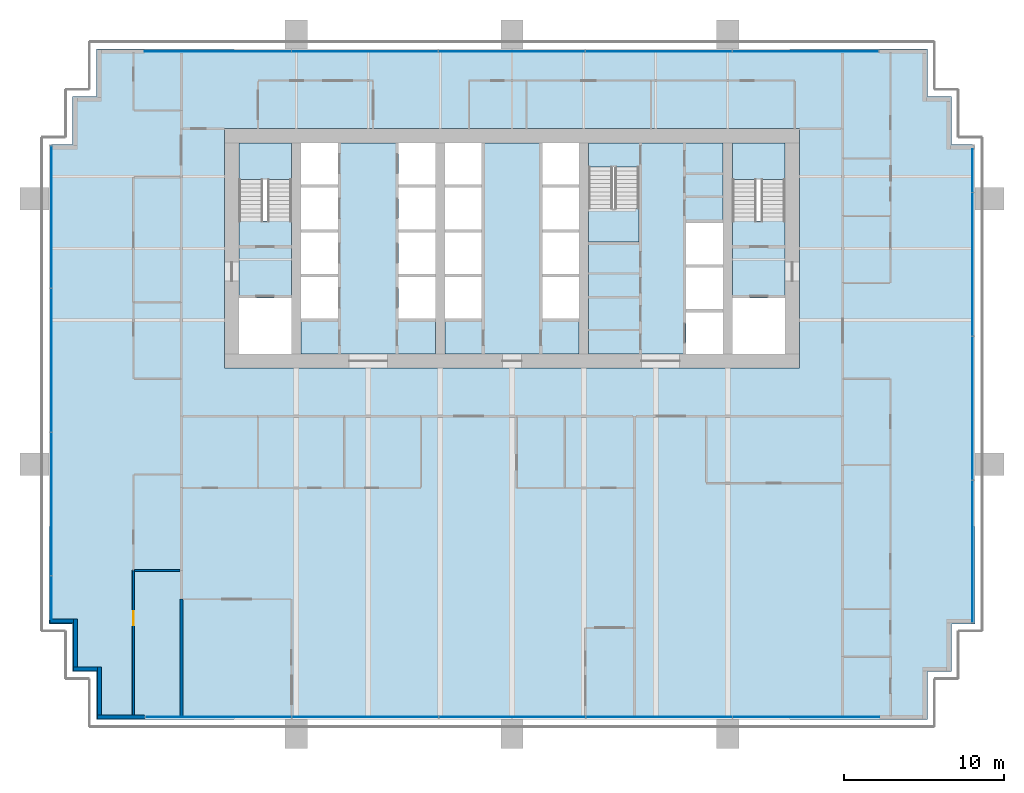
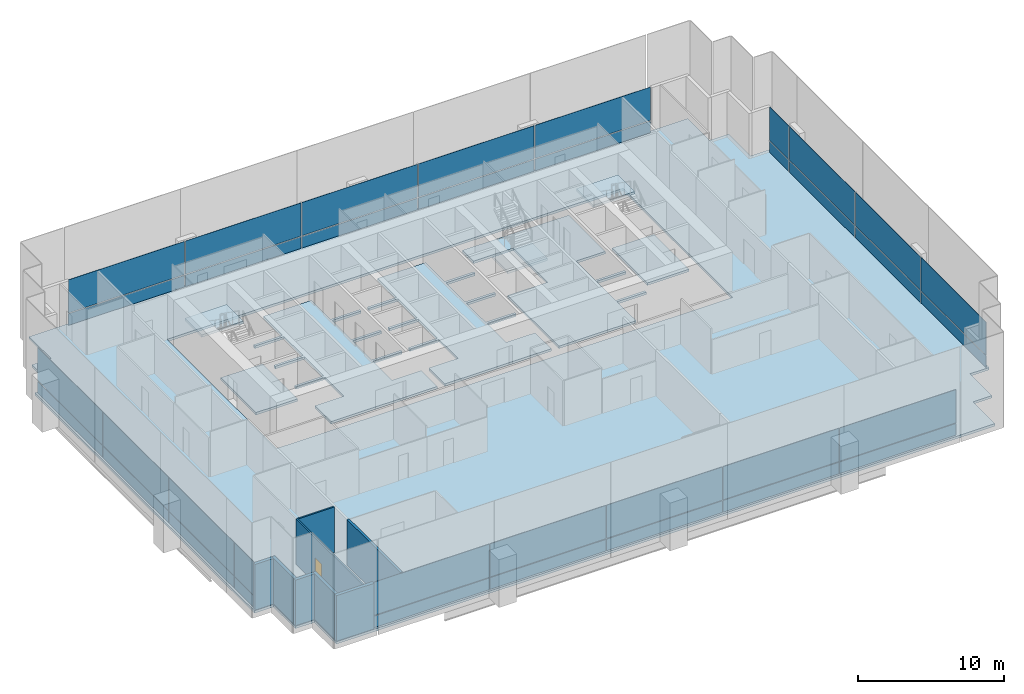
# One storey, part 9 of 17: 36 plates, 9 slabs, 8 walls, 1 door, 1 opening, 7 elements without a shape of their own.
"""IFC4 building model written with IfcOpenShell, lengths in metres."""

from ifc_helpers import new_model, si_unit, direction, frame, frame_2d, origin, origin_2d, place, context, subcontext, project, spatial, polyline, rectangle, outline, extrude, material, layer, layer_set, type_object, element, fill, aggregate, save


model = new_model("IFC4")

# Units and contexts
model_context = context("Model", 3, precision=1e-05, world=origin(), true_north=direction((0.0, 1.0)))
body_context = subcontext(model_context, "Body", "Model", "MODEL_VIEW")
ifc_project = project(units=[si_unit("LENGTHUNIT", "METRE"), si_unit("AREAUNIT", "SQUARE_METRE"), si_unit("VOLUMEUNIT", "CUBIC_METRE"), si_unit("PLANEANGLEUNIT", "RADIAN"), si_unit("MASSUNIT", "GRAM", prefix="KILO")], contexts=[model_context])

# Site, building, storey
site_placement = place(None, origin())
site = spatial("IfcSite", under=ifc_project, at=site_placement, CompositionType="ELEMENT")
building_placement = place(site_placement, origin())
building = spatial("IfcBuilding", under=site, at=building_placement, Name="Rattan Terrace Tower", CompositionType="ELEMENT")
storey_placement = place(building_placement, frame((0.0, 0.0, 126.10009765625)))
storey = spatial("IfcBuildingStorey", under=building, at=storey_placement, Name="L28", CompositionType="ELEMENT", Elevation=126.10009765625)

# Stair, slab
ifc_material_1 = material(Name="Concrete C40/50", Category="concrete")
stair_type = type_object("IfcStairType", Name="Core exit stair 1500", PredefinedType="HALF_TURN_STAIR", material=ifc_material_1)
stair_1_placement = place(storey_placement, origin())
stair_1 = element("IfcStair", 1, at=stair_1_placement, inside=storey, type_object=stair_type, Name="L28 exit stair 1", PredefinedType="HALF_TURN_STAIR")
ifc_material_2 = material(Name="Concrete C40/50", Category="concrete")
ifc_layer_1 = layer(ifc_material_2, 0.199951171875)
ifc_layer_set_1 = layer_set([ifc_layer_1], Name="Core exit stair landing")
slab_type_1 = type_object("IfcSlabType", Name="Core exit stair landing", PredefinedType="LANDING", material=ifc_layer_set_1)
slab_1_placement = place(storey_placement, frame((0.0, 0.0, 1.7998046875)))
slab_1 = element("IfcSlab", 2, at=slab_1_placement, type_object=slab_type_1, Name="S1 landing 1", PredefinedType="LANDING", context=body_context, shape_type="SweptSolid", body=[
    extrude(outline(polyline([(-13.800048828125, 4.300048828125), (-13.800048828125, 6.60009765625), (-17.10009765625, 6.60009765625), (-17.10009765625, 4.300048828125), (-13.800048828125, 4.300048828125)])), origin(), (0.0, 0.0, 1.0), 0.2001953125),
])
aggregate(stair_1, [slab_1])

stair_2_placement = place(storey_placement, origin())
stair_2 = element("IfcStair", 3, at=stair_2_placement, inside=storey, type_object=stair_type, Name="L28 exit stair 2", PredefinedType="HALF_TURN_STAIR")
slab_2_placement = place(storey_placement, frame((0.0, 0.0, 1.7998046875)))
slab_2 = element("IfcSlab", 4, at=slab_2_placement, type_object=slab_type_1, Name="S2 landing 1", PredefinedType="LANDING", context=body_context, shape_type="SweptSolid", body=[
    extrude(outline(polyline([(17.10009765625, 4.300048828125), (17.10009765625, 6.60009765625), (13.800048828125, 6.60009765625), (13.800048828125, 4.300048828125), (17.10009765625, 4.300048828125)])), origin(), (0.0, 0.0, 1.0), 0.2001953125),
])
aggregate(stair_2, [slab_2])

stair_3_placement = place(storey_placement, origin())
stair_3 = element("IfcStair", 5, at=stair_3_placement, inside=storey, type_object=stair_type, Name="L28 exit stair 3", PredefinedType="HALF_TURN_STAIR")
slab_3_placement = place(storey_placement, frame((0.0, 0.0, 1.7998046875)))
slab_3 = element("IfcSlab", 6, at=slab_3_placement, type_object=slab_type_1, Name="S3 landing 1", PredefinedType="LANDING", context=body_context, shape_type="SweptSolid", body=[
    extrude(outline(polyline([(4.800048828125, 2.5), (4.800048828125, 0.39990234375), (7.949951171875, 0.39990234375), (7.949951171875, 2.5), (4.800048828125, 2.5)])), origin(), (0.0, 0.0, 1.0), 0.2001953125),
])
aggregate(stair_3, [slab_3])

# Curtain wall, plates
ifc_material_3 = material(Name="Aluminium and glass", Category="aluminium")
curtain_wall_type = type_object("IfcCurtainWallType", Name="Facade Unitised Curtain Wall", PredefinedType="NOTDEFINED", material=ifc_material_3)
curtain_wall_1_placement = place(storey_placement, origin())
curtain_wall_1 = element("IfcCurtainWall", 7, at=curtain_wall_1_placement, inside=storey, type_object=curtain_wall_type, Name="Curtain wall L28-1", PredefinedType="NOTDEFINED")
ifc_material_4 = material(Name="Aluminium insulated spandrel panel", Category="aluminium")
ifc_layer_2 = layer(ifc_material_4, 0.028076171875)
ifc_layer_set_2 = layer_set([ifc_layer_2], Name="Facade CW Spandrel Panel")
plate_type_1 = type_object("IfcPlateType", Name="Facade CW Spandrel Panel", PredefinedType="CURTAIN_PANEL", material=ifc_layer_set_2)
plate_1_placement = place(storey_placement, frame((28.830078125, -18.96240234375, 0.0), z_axis=(0.0, 0.0, 1.0), x_axis=(0.0, 1.0, 0.0)))
plate_1 = element("IfcPlate", 8, at=plate_1_placement, type_object=plate_type_1, Name="Panel cwl-L28-001.1.1", PredefinedType="CURTAIN_PANEL", context=body_context, shape_type="SweptSolid", body=[
    extrude(rectangle(XDim=8.864990234375, YDim=0.028076171875, at=origin_2d()), origin(), (0.0, 0.0, 1.0), 0.969970703125),
])
plate_2_placement = place(storey_placement, frame((28.830078125, -10.0, 0.0), z_axis=(0.0, 0.0, 1.0), x_axis=(0.0, 1.0, 0.0)))
plate_2 = element("IfcPlate", 9, at=plate_2_placement, type_object=plate_type_1, Name="Panel cwl-L28-001.2.1", PredefinedType="CURTAIN_PANEL", context=body_context, shape_type="SweptSolid", body=[
    extrude(rectangle(XDim=8.93994140625, YDim=0.028076171875, at=origin_2d()), origin(), (0.0, 0.0, 1.0), 0.969970703125),
])
plate_3_placement = place(storey_placement, frame((28.830078125, -1.0, 0.0), z_axis=(0.0, 0.0, 1.0), x_axis=(0.0, 1.0, 0.0)))
plate_3 = element("IfcPlate", 10, at=plate_3_placement, type_object=plate_type_1, Name="Panel cwl-L28-001.3.1", PredefinedType="CURTAIN_PANEL", context=body_context, shape_type="SweptSolid", body=[
    extrude(rectangle(XDim=8.93994140625, YDim=0.028076171875, at=origin_2d()), origin(), (0.0, 0.0, 1.0), 0.969970703125),
])
plate_4_placement = place(storey_placement, frame((28.830078125, 4.867431640625, 0.0), z_axis=(0.0, 0.0, 1.0), x_axis=(0.0, 1.0, 0.0)))
plate_4 = element("IfcPlate", 11, at=plate_4_placement, type_object=plate_type_1, Name="Panel cwl-L28-001.4.1", PredefinedType="CURTAIN_PANEL", context=body_context, shape_type="SweptSolid", body=[
    extrude(rectangle(XDim=2.675048828125, YDim=0.028076171875, at=origin_2d()), origin(), (0.0, 0.0, 1.0), 0.969970703125),
])

curtain_wall_2_placement = place(storey_placement, origin())
curtain_wall_2 = element("IfcCurtainWall", 12, at=curtain_wall_2_placement, inside=storey, type_object=curtain_wall_type, Name="Curtain wall L28-2", PredefinedType="NOTDEFINED")
plate_5_placement = place(storey_placement, frame((18.384521484375, 12.330078125, 0.0), z_axis=(0.0, 0.0, 1.0), x_axis=(-1.0, 0.0, 0.0)))
plate_5 = element("IfcPlate", 13, at=plate_5_placement, type_object=plate_type_1, Name="Panel cwl-L28-002.1.1", PredefinedType="CURTAIN_PANEL", context=body_context, shape_type="SweptSolid", body=[
    extrude(rectangle(XDim=9.111083984375, YDim=0.028076171875, at=origin_2d()), origin(), (0.0, 0.0, 1.0), 0.969970703125),
])
plate_6_placement = place(storey_placement, frame((9.198486328125, 12.330078125, 0.0), z_axis=(0.0, 0.0, 1.0), x_axis=(-1.0, 0.0, 0.0)))
plate_6 = element("IfcPlate", 14, at=plate_6_placement, type_object=plate_type_1, Name="Panel cwl-L28-002.2.1", PredefinedType="CURTAIN_PANEL", context=body_context, shape_type="SweptSolid", body=[
    extrude(rectangle(XDim=9.14111328125, YDim=0.028076171875, at=origin_2d()), origin(), (0.0, 0.0, 1.0), 0.969970703125),
])
plate_7_placement = place(storey_placement, frame((-0.00244140625, 12.330078125, 0.0), z_axis=(0.0, 0.0, 1.0), x_axis=(-1.0, 0.0, 0.0)))
plate_7 = element("IfcPlate", 15, at=plate_7_placement, type_object=plate_type_1, Name="Panel cwl-L28-002.3.1", PredefinedType="CURTAIN_PANEL", context=body_context, shape_type="SweptSolid", body=[
    extrude(rectangle(XDim=9.14111328125, YDim=0.028076171875, at=origin_2d()), origin(), (0.0, 0.0, 1.0), 0.969970703125),
])
plate_8_placement = place(storey_placement, frame((-9.20361328125, 12.330078125, 0.0), z_axis=(0.0, 0.0, 1.0), x_axis=(-1.0, 0.0, 0.0)))
plate_8 = element("IfcPlate", 16, at=plate_8_placement, type_object=plate_type_1, Name="Panel cwl-L28-002.4.1", PredefinedType="CURTAIN_PANEL", context=body_context, shape_type="SweptSolid", body=[
    extrude(rectangle(XDim=9.14111328125, YDim=0.028076171875, at=origin_2d()), origin(), (0.0, 0.0, 1.0), 0.969970703125),
])
plate_9_placement = place(storey_placement, frame((-18.4169921875, 12.330078125, 0.0), z_axis=(0.0, 0.0, 1.0), x_axis=(-1.0, 0.0, 0.0)))
plate_9 = element("IfcPlate", 17, at=plate_9_placement, type_object=plate_type_1, Name="Panel cwl-L28-002.5.1", PredefinedType="CURTAIN_PANEL", context=body_context, shape_type="SweptSolid", body=[
    extrude(rectangle(XDim=9.166015625, YDim=0.028076171875, at=origin_2d()), origin(), (0.0, 0.0, 1.0), 0.969970703125),
])

curtain_wall_3_placement = place(storey_placement, origin())
curtain_wall_3 = element("IfcCurtainWall", 18, at=curtain_wall_3_placement, inside=storey, type_object=curtain_wall_type, Name="Curtain wall L28-3", PredefinedType="NOTDEFINED")
plate_10_placement = place(storey_placement, frame((-28.830078125, 1.96240234375, 0.0), z_axis=(0.0, 0.0, 1.0), x_axis=(0.0, -1.0, 0.0)))
plate_10 = element("IfcPlate", 19, at=plate_10_placement, type_object=plate_type_1, Name="Panel cwl-L28-003.1.1", PredefinedType="CURTAIN_PANEL", context=body_context, shape_type="SweptSolid", body=[
    extrude(rectangle(XDim=8.864990234375, YDim=0.028076171875, at=origin_2d()), origin(), (0.0, 0.0, 1.0), 0.969970703125),
])
plate_11_placement = place(storey_placement, frame((-28.830078125, -7.0, 0.0), z_axis=(0.0, 0.0, 1.0), x_axis=(0.0, -1.0, 0.0)))
plate_11 = element("IfcPlate", 20, at=plate_11_placement, type_object=plate_type_1, Name="Panel cwl-L28-003.2.1", PredefinedType="CURTAIN_PANEL", context=body_context, shape_type="SweptSolid", body=[
    extrude(rectangle(XDim=8.93994140625, YDim=0.028076171875, at=origin_2d()), origin(), (0.0, 0.0, 1.0), 0.969970703125),
])
plate_12_placement = place(storey_placement, frame((-28.830078125, -16.0, 0.0), z_axis=(0.0, 0.0, 1.0), x_axis=(0.0, -1.0, 0.0)))
plate_12 = element("IfcPlate", 21, at=plate_12_placement, type_object=plate_type_1, Name="Panel cwl-L28-003.3.1", PredefinedType="CURTAIN_PANEL", context=body_context, shape_type="SweptSolid", body=[
    extrude(rectangle(XDim=8.93994140625, YDim=0.028076171875, at=origin_2d()), origin(), (0.0, 0.0, 1.0), 0.969970703125),
])
plate_13_placement = place(storey_placement, frame((-28.830078125, -21.867431640625, 0.0), z_axis=(0.0, 0.0, 1.0), x_axis=(0.0, -1.0, 0.0)))
plate_13 = element("IfcPlate", 22, at=plate_13_placement, type_object=plate_type_1, Name="Panel cwl-L28-003.4.1", PredefinedType="CURTAIN_PANEL", context=body_context, shape_type="SweptSolid", body=[
    extrude(rectangle(XDim=2.675048828125, YDim=0.028076171875, at=origin_2d()), origin(), (0.0, 0.0, 1.0), 0.969970703125),
])

curtain_wall_4_placement = place(storey_placement, origin())
curtain_wall_4 = element("IfcCurtainWall", 23, at=curtain_wall_4_placement, inside=storey, type_object=curtain_wall_type, Name="Curtain wall L28-4", PredefinedType="NOTDEFINED")
plate_14_placement = place(storey_placement, frame((-18.384521484375, -29.330078125, 0.0), z_axis=(0.0, 0.0, 1.0), x_axis=(1.0, 0.0, 0.0)))
plate_14 = element("IfcPlate", 24, at=plate_14_placement, type_object=plate_type_1, Name="Panel cwl-L28-004.1.1", PredefinedType="CURTAIN_PANEL", context=body_context, shape_type="SweptSolid", body=[
    extrude(rectangle(XDim=9.111083984375, YDim=0.028076171875, at=origin_2d()), origin(), (0.0, 0.0, 1.0), 0.969970703125),
])
plate_15_placement = place(storey_placement, frame((-9.198486328125, -29.330078125, 0.0), z_axis=(0.0, 0.0, 1.0), x_axis=(1.0, 0.0, 0.0)))
plate_15 = element("IfcPlate", 25, at=plate_15_placement, type_object=plate_type_1, Name="Panel cwl-L28-004.2.1", PredefinedType="CURTAIN_PANEL", context=body_context, shape_type="SweptSolid", body=[
    extrude(rectangle(XDim=9.14111328125, YDim=0.028076171875, at=origin_2d()), origin(), (0.0, 0.0, 1.0), 0.969970703125),
])
plate_16_placement = place(storey_placement, frame((0.00244140625, -29.330078125, 0.0), z_axis=(0.0, 0.0, 1.0), x_axis=(1.0, 0.0, 0.0)))
plate_16 = element("IfcPlate", 26, at=plate_16_placement, type_object=plate_type_1, Name="Panel cwl-L28-004.3.1", PredefinedType="CURTAIN_PANEL", context=body_context, shape_type="SweptSolid", body=[
    extrude(rectangle(XDim=9.14111328125, YDim=0.028076171875, at=origin_2d()), origin(), (0.0, 0.0, 1.0), 0.969970703125),
])
plate_17_placement = place(storey_placement, frame((9.20361328125, -29.330078125, 0.0), z_axis=(0.0, 0.0, 1.0), x_axis=(1.0, 0.0, 0.0)))
plate_17 = element("IfcPlate", 27, at=plate_17_placement, type_object=plate_type_1, Name="Panel cwl-L28-004.4.1", PredefinedType="CURTAIN_PANEL", context=body_context, shape_type="SweptSolid", body=[
    extrude(rectangle(XDim=9.14111328125, YDim=0.028076171875, at=origin_2d()), origin(), (0.0, 0.0, 1.0), 0.969970703125),
])
plate_18_placement = place(storey_placement, frame((18.4169921875, -29.330078125, 0.0), z_axis=(0.0, 0.0, 1.0), x_axis=(1.0, 0.0, 0.0)))
plate_18 = element("IfcPlate", 28, at=plate_18_placement, type_object=plate_type_1, Name="Panel cwl-L28-004.5.1", PredefinedType="CURTAIN_PANEL", context=body_context, shape_type="SweptSolid", body=[
    extrude(rectangle(XDim=9.166015625, YDim=0.028076171875, at=origin_2d()), origin(), (0.0, 0.0, 1.0), 0.969970703125),
])

# Plate
ifc_material_5 = material(Name="Clear low-iron glass", Category="glass")
ifc_layer_3 = layer(ifc_material_5, 0.028076171875)
ifc_layer_set_3 = layer_set([ifc_layer_3], Name="Facade CW Vision Panel")
plate_type_2 = type_object("IfcPlateType", Name="Facade CW Vision Panel", PredefinedType="CURTAIN_PANEL", material=ifc_layer_set_3)
plate_19_placement = place(storey_placement, frame((28.830078125, -18.96240234375, 1.02978515625), z_axis=(0.0, 0.0, 1.0), x_axis=(0.0, 1.0, 0.0)))
plate_19 = element("IfcPlate", 29, at=plate_19_placement, type_object=plate_type_2, Name="Panel cwl-L28-001.1.2", PredefinedType="CURTAIN_PANEL", context=body_context, shape_type="SweptSolid", body=[
    extrude(rectangle(XDim=8.864990234375, YDim=0.028076171875, at=origin_2d()), origin(), (0.0, 0.0, 1.0), 2.77001953125),
])

plate_20_placement = place(storey_placement, frame((28.830078125, -10.0, 1.02978515625), z_axis=(0.0, 0.0, 1.0), x_axis=(0.0, 1.0, 0.0)))
plate_20 = element("IfcPlate", 30, at=plate_20_placement, type_object=plate_type_2, Name="Panel cwl-L28-001.2.2", PredefinedType="CURTAIN_PANEL", context=body_context, shape_type="SweptSolid", body=[
    extrude(rectangle(XDim=8.93994140625, YDim=0.028076171875, at=origin_2d()), origin(), (0.0, 0.0, 1.0), 2.77001953125),
])

plate_21_placement = place(storey_placement, frame((28.830078125, -1.0, 1.02978515625), z_axis=(0.0, 0.0, 1.0), x_axis=(0.0, 1.0, 0.0)))
plate_21 = element("IfcPlate", 31, at=plate_21_placement, type_object=plate_type_2, Name="Panel cwl-L28-001.3.2", PredefinedType="CURTAIN_PANEL", context=body_context, shape_type="SweptSolid", body=[
    extrude(rectangle(XDim=8.93994140625, YDim=0.028076171875, at=origin_2d()), origin(), (0.0, 0.0, 1.0), 2.77001953125),
])

plate_22_placement = place(storey_placement, frame((28.830078125, 4.867431640625, 1.02978515625), z_axis=(0.0, 0.0, 1.0), x_axis=(0.0, 1.0, 0.0)))
plate_22 = element("IfcPlate", 32, at=plate_22_placement, type_object=plate_type_2, Name="Panel cwl-L28-001.4.2", PredefinedType="CURTAIN_PANEL", context=body_context, shape_type="SweptSolid", body=[
    extrude(rectangle(XDim=2.675048828125, YDim=0.028076171875, at=origin_2d()), origin(), (0.0, 0.0, 1.0), 2.77001953125),
])

aggregate(curtain_wall_1, [plate_1, plate_19, plate_2, plate_20, plate_3, plate_21, plate_4, plate_22])

plate_23_placement = place(storey_placement, frame((18.384521484375, 12.330078125, 1.02978515625), z_axis=(0.0, 0.0, 1.0), x_axis=(-1.0, 0.0, 0.0)))
plate_23 = element("IfcPlate", 33, at=plate_23_placement, type_object=plate_type_2, Name="Panel cwl-L28-002.1.2", PredefinedType="CURTAIN_PANEL", context=body_context, shape_type="SweptSolid", body=[
    extrude(rectangle(XDim=9.111083984375, YDim=0.028076171875, at=origin_2d()), origin(), (0.0, 0.0, 1.0), 2.77001953125),
])

plate_24_placement = place(storey_placement, frame((9.198486328125, 12.330078125, 1.02978515625), z_axis=(0.0, 0.0, 1.0), x_axis=(-1.0, 0.0, 0.0)))
plate_24 = element("IfcPlate", 34, at=plate_24_placement, type_object=plate_type_2, Name="Panel cwl-L28-002.2.2", PredefinedType="CURTAIN_PANEL", context=body_context, shape_type="SweptSolid", body=[
    extrude(rectangle(XDim=9.14111328125, YDim=0.028076171875, at=origin_2d()), origin(), (0.0, 0.0, 1.0), 2.77001953125),
])

plate_25_placement = place(storey_placement, frame((-0.00244140625, 12.330078125, 1.02978515625), z_axis=(0.0, 0.0, 1.0), x_axis=(-1.0, 0.0, 0.0)))
plate_25 = element("IfcPlate", 35, at=plate_25_placement, type_object=plate_type_2, Name="Panel cwl-L28-002.3.2", PredefinedType="CURTAIN_PANEL", context=body_context, shape_type="SweptSolid", body=[
    extrude(rectangle(XDim=9.14111328125, YDim=0.028076171875, at=origin_2d()), origin(), (0.0, 0.0, 1.0), 2.77001953125),
])

plate_26_placement = place(storey_placement, frame((-9.20361328125, 12.330078125, 1.02978515625), z_axis=(0.0, 0.0, 1.0), x_axis=(-1.0, 0.0, 0.0)))
plate_26 = element("IfcPlate", 36, at=plate_26_placement, type_object=plate_type_2, Name="Panel cwl-L28-002.4.2", PredefinedType="CURTAIN_PANEL", context=body_context, shape_type="SweptSolid", body=[
    extrude(rectangle(XDim=9.14111328125, YDim=0.028076171875, at=origin_2d()), origin(), (0.0, 0.0, 1.0), 2.77001953125),
])

plate_27_placement = place(storey_placement, frame((-18.4169921875, 12.330078125, 1.02978515625), z_axis=(0.0, 0.0, 1.0), x_axis=(-1.0, 0.0, 0.0)))
plate_27 = element("IfcPlate", 37, at=plate_27_placement, type_object=plate_type_2, Name="Panel cwl-L28-002.5.2", PredefinedType="CURTAIN_PANEL", context=body_context, shape_type="SweptSolid", body=[
    extrude(rectangle(XDim=9.166015625, YDim=0.028076171875, at=origin_2d()), origin(), (0.0, 0.0, 1.0), 2.77001953125),
])

aggregate(curtain_wall_2, [plate_5, plate_23, plate_6, plate_24, plate_7, plate_25, plate_8, plate_26, plate_9, plate_27])

plate_28_placement = place(storey_placement, frame((-28.830078125, 1.96240234375, 1.02978515625), z_axis=(0.0, 0.0, 1.0), x_axis=(0.0, -1.0, 0.0)))
plate_28 = element("IfcPlate", 38, at=plate_28_placement, type_object=plate_type_2, Name="Panel cwl-L28-003.1.2", PredefinedType="CURTAIN_PANEL", context=body_context, shape_type="SweptSolid", body=[
    extrude(rectangle(XDim=8.864990234375, YDim=0.028076171875, at=origin_2d()), origin(), (0.0, 0.0, 1.0), 2.77001953125),
])

plate_29_placement = place(storey_placement, frame((-28.830078125, -7.0, 1.02978515625), z_axis=(0.0, 0.0, 1.0), x_axis=(0.0, -1.0, 0.0)))
plate_29 = element("IfcPlate", 39, at=plate_29_placement, type_object=plate_type_2, Name="Panel cwl-L28-003.2.2", PredefinedType="CURTAIN_PANEL", context=body_context, shape_type="SweptSolid", body=[
    extrude(rectangle(XDim=8.93994140625, YDim=0.028076171875, at=origin_2d()), origin(), (0.0, 0.0, 1.0), 2.77001953125),
])

plate_30_placement = place(storey_placement, frame((-28.830078125, -16.0, 1.02978515625), z_axis=(0.0, 0.0, 1.0), x_axis=(0.0, -1.0, 0.0)))
plate_30 = element("IfcPlate", 40, at=plate_30_placement, type_object=plate_type_2, Name="Panel cwl-L28-003.3.2", PredefinedType="CURTAIN_PANEL", context=body_context, shape_type="SweptSolid", body=[
    extrude(rectangle(XDim=8.93994140625, YDim=0.028076171875, at=origin_2d()), origin(), (0.0, 0.0, 1.0), 2.77001953125),
])

plate_31_placement = place(storey_placement, frame((-28.830078125, -21.867431640625, 1.02978515625), z_axis=(0.0, 0.0, 1.0), x_axis=(0.0, -1.0, 0.0)))
plate_31 = element("IfcPlate", 41, at=plate_31_placement, type_object=plate_type_2, Name="Panel cwl-L28-003.4.2", PredefinedType="CURTAIN_PANEL", context=body_context, shape_type="SweptSolid", body=[
    extrude(rectangle(XDim=2.675048828125, YDim=0.028076171875, at=origin_2d()), origin(), (0.0, 0.0, 1.0), 2.77001953125),
])

aggregate(curtain_wall_3, [plate_10, plate_28, plate_11, plate_29, plate_12, plate_30, plate_13, plate_31])

plate_32_placement = place(storey_placement, frame((-18.384521484375, -29.330078125, 1.02978515625), z_axis=(0.0, 0.0, 1.0), x_axis=(1.0, 0.0, 0.0)))
plate_32 = element("IfcPlate", 42, at=plate_32_placement, type_object=plate_type_2, Name="Panel cwl-L28-004.1.2", PredefinedType="CURTAIN_PANEL", context=body_context, shape_type="SweptSolid", body=[
    extrude(rectangle(XDim=9.111083984375, YDim=0.028076171875, at=origin_2d()), origin(), (0.0, 0.0, 1.0), 2.77001953125),
])

plate_33_placement = place(storey_placement, frame((-9.198486328125, -29.330078125, 1.02978515625), z_axis=(0.0, 0.0, 1.0), x_axis=(1.0, 0.0, 0.0)))
plate_33 = element("IfcPlate", 43, at=plate_33_placement, type_object=plate_type_2, Name="Panel cwl-L28-004.2.2", PredefinedType="CURTAIN_PANEL", context=body_context, shape_type="SweptSolid", body=[
    extrude(rectangle(XDim=9.14111328125, YDim=0.028076171875, at=origin_2d()), origin(), (0.0, 0.0, 1.0), 2.77001953125),
])

plate_34_placement = place(storey_placement, frame((0.00244140625, -29.330078125, 1.02978515625), z_axis=(0.0, 0.0, 1.0), x_axis=(1.0, 0.0, 0.0)))
plate_34 = element("IfcPlate", 44, at=plate_34_placement, type_object=plate_type_2, Name="Panel cwl-L28-004.3.2", PredefinedType="CURTAIN_PANEL", context=body_context, shape_type="SweptSolid", body=[
    extrude(rectangle(XDim=9.14111328125, YDim=0.028076171875, at=origin_2d()), origin(), (0.0, 0.0, 1.0), 2.77001953125),
])

plate_35_placement = place(storey_placement, frame((9.20361328125, -29.330078125, 1.02978515625), z_axis=(0.0, 0.0, 1.0), x_axis=(1.0, 0.0, 0.0)))
plate_35 = element("IfcPlate", 45, at=plate_35_placement, type_object=plate_type_2, Name="Panel cwl-L28-004.4.2", PredefinedType="CURTAIN_PANEL", context=body_context, shape_type="SweptSolid", body=[
    extrude(rectangle(XDim=9.14111328125, YDim=0.028076171875, at=origin_2d()), origin(), (0.0, 0.0, 1.0), 2.77001953125),
])

plate_36_placement = place(storey_placement, frame((18.4169921875, -29.330078125, 1.02978515625), z_axis=(0.0, 0.0, 1.0), x_axis=(1.0, 0.0, 0.0)))
plate_36 = element("IfcPlate", 46, at=plate_36_placement, type_object=plate_type_2, Name="Panel cwl-L28-004.5.2", PredefinedType="CURTAIN_PANEL", context=body_context, shape_type="SweptSolid", body=[
    extrude(rectangle(XDim=9.166015625, YDim=0.028076171875, at=origin_2d()), origin(), (0.0, 0.0, 1.0), 2.77001953125),
])

aggregate(curtain_wall_4, [plate_14, plate_32, plate_15, plate_33, plate_16, plate_34, plate_17, plate_35, plate_18, plate_36])

# Slabs
ifc_material_6 = material(Name="Concrete C35/45", Category="concrete")
ifc_layer_4 = layer(ifc_material_6, 0.199951171875)
ifc_layer_set_4 = layer_set([ifc_layer_4], Name="Frame composite floor slab 200")
slab_type_2 = type_object("IfcSlabType", Name="Frame composite floor slab 200", PredefinedType="FLOOR", material=ifc_layer_set_4)
slab_4_placement = place(storey_placement, frame((0.0, 0.0, -0.2001953125)))
element("IfcSlab", 47, at=slab_4_placement, inside=storey, type_object=slab_type_2, Name="Floor slab", PredefinedType="FLOOR", context=body_context, shape_type="SweptSolid", body=[
    extrude(outline(polyline([(-23.0, -29.5), (23.0, -29.5), (26.0, -29.5), (26.0, -26.5), (27.5, -26.5), (27.5, -23.5), (29.0, -23.5), (29.0, 6.5), (27.5, 6.5), (27.5, 9.5), (26.0, 9.5), (26.0, 12.5), (23.0, 12.5), (-23.0, 12.5), (-26.0, 12.5), (-26.0, 9.5), (-27.5, 9.5), (-27.5, 6.5), (-29.0, 6.5), (-29.0, -23.5), (-27.5, -23.5), (-27.5, -26.5), (-26.0, -26.5), (-26.0, -29.5), (-23.0, -29.5)]), holes=[polyline([(-18.0, -6.60009765625), (-18.0, -7.5), (18.0, -7.5), (18.0, -6.60009765625), (18.0, 6.60009765625), (18.0, 7.5), (-18.0, 7.5), (-18.0, 6.60009765625), (-18.0, -6.60009765625)])]), origin(), (0.0, 0.0, 1.0), 0.2001953125),
])
slab_5_placement = place(storey_placement, frame((0.0, 0.0, -0.2001953125)))
element("IfcSlab", 48, at=slab_5_placement, inside=storey, type_object=slab_type_2, Name="Floor slab", PredefinedType="FLOOR", context=body_context, shape_type="SweptSolid", body=[
    extrude(outline(polyline([(-10.89990234375, 6.60009765625), (-10.89990234375, 4.0), (-13.199951171875, 4.0), (-13.199951171875, 3.800048828125), (-10.89990234375, 3.800048828125), (-10.89990234375, 1.199951171875), (-13.199951171875, 1.199951171875), (-13.199951171875, 1.0), (-10.89990234375, 1.0), (-10.89990234375, -1.60009765625), (-13.199951171875, -1.60009765625), (-13.199951171875, -1.800048828125), (-10.89990234375, -1.800048828125), (-10.89990234375, -4.39990234375), (-13.199951171875, -4.39990234375), (-13.199951171875, -6.60009765625), (-4.800048828125, -6.60009765625), (-4.800048828125, -4.39990234375), (-7.10009765625, -4.39990234375), (-7.10009765625, -1.800048828125), (-4.800048828125, -1.800048828125), (-4.800048828125, -1.60009765625), (-7.10009765625, -1.60009765625), (-7.10009765625, 1.0), (-4.800048828125, 1.0), (-4.800048828125, 1.199951171875), (-7.10009765625, 1.199951171875), (-7.10009765625, 3.800048828125), (-4.800048828125, 3.800048828125), (-4.800048828125, 4.0), (-7.10009765625, 4.0), (-7.10009765625, 6.60009765625), (-10.89990234375, 6.60009765625)])), origin(), (0.0, 0.0, 1.0), 0.2001953125),
])
slab_6_placement = place(storey_placement, frame((0.0, 0.0, -0.2001953125)))
element("IfcSlab", 49, at=slab_6_placement, inside=storey, type_object=slab_type_2, Name="Floor slab", PredefinedType="FLOOR", context=body_context, shape_type="SweptSolid", body=[
    extrude(outline(polyline([(-17.10009765625, -3.10009765625), (-13.800048828125, -3.10009765625), (-13.800048828125, 1.7099609375), (-17.10009765625, 1.7099609375), (-17.10009765625, -3.10009765625)])), origin(), (0.0, 0.0, 1.0), 0.2001953125),
])
slab_7_placement = place(storey_placement, frame((0.0, 0.0, -0.2001953125)))
element("IfcSlab", 50, at=slab_7_placement, inside=storey, type_object=slab_type_2, Name="Floor slab", PredefinedType="FLOOR", context=body_context, shape_type="SweptSolid", body=[
    extrude(outline(polyline([(-4.199951171875, 4.0), (-4.199951171875, 3.800048828125), (-1.89990234375, 3.800048828125), (-1.89990234375, 1.199951171875), (-4.199951171875, 1.199951171875), (-4.199951171875, 1.0), (-1.89990234375, 1.0), (-1.89990234375, -1.60009765625), (-4.199951171875, -1.60009765625), (-4.199951171875, -1.800048828125), (-1.89990234375, -1.800048828125), (-1.89990234375, -4.39990234375), (-4.199951171875, -4.39990234375), (-4.199951171875, -6.60009765625), (4.199951171875, -6.60009765625), (4.199951171875, -4.39990234375), (1.89990234375, -4.39990234375), (1.89990234375, -1.800048828125), (4.199951171875, -1.800048828125), (4.199951171875, -1.60009765625), (1.89990234375, -1.60009765625), (1.89990234375, 1.0), (4.199951171875, 1.0), (4.199951171875, 1.199951171875), (1.89990234375, 1.199951171875), (1.89990234375, 3.800048828125), (4.199951171875, 3.800048828125), (4.199951171875, 4.0), (1.89990234375, 4.0), (1.89990234375, 6.60009765625), (-1.89990234375, 6.60009765625), (-1.89990234375, 4.0), (-4.199951171875, 4.0)])), origin(), (0.0, 0.0, 1.0), 0.2001953125),
])
slab_8_placement = place(storey_placement, frame((0.0, 0.0, -0.2001953125)))
element("IfcSlab", 51, at=slab_8_placement, inside=storey, type_object=slab_type_2, Name="Floor slab", PredefinedType="FLOOR", context=body_context, shape_type="SweptSolid", body=[
    extrude(outline(polyline([(4.800048828125, 5.090087890625), (7.949951171875, 5.090087890625), (7.949951171875, 0.39990234375), (4.800048828125, 0.39990234375), (4.800048828125, -6.60009765625), (10.89990234375, -6.60009765625), (10.89990234375, -4.0), (13.199951171875, -4.0), (13.199951171875, -3.800048828125), (10.89990234375, -3.800048828125), (10.89990234375, -1.199951171875), (13.199951171875, -1.199951171875), (13.199951171875, -1.0), (10.89990234375, -1.0), (10.89990234375, 1.60009765625), (13.199951171875, 1.60009765625), (13.199951171875, 6.60009765625), (4.800048828125, 6.60009765625), (4.800048828125, 5.090087890625)])), origin(), (0.0, 0.0, 1.0), 0.2001953125),
])
slab_9_placement = place(storey_placement, frame((0.0, 0.0, -0.2001953125)))
element("IfcSlab", 52, at=slab_9_placement, inside=storey, type_object=slab_type_2, Name="Floor slab", PredefinedType="FLOOR", context=body_context, shape_type="SweptSolid", body=[
    extrude(outline(polyline([(13.800048828125, -3.10009765625), (17.10009765625, -3.10009765625), (17.10009765625, 1.7099609375), (13.800048828125, 1.7099609375), (13.800048828125, -3.10009765625)])), origin(), (0.0, 0.0, 1.0), 0.2001953125),
])

# Walls
ifc_material_7 = material(Name="Insulated aluminium-clad stud wall", Category="aluminium")
ifc_layer_5 = layer(ifc_material_7, 0.25)
ifc_layer_set_5 = layer_set([ifc_layer_5], Name="Facade Riser Wall 250")
wall_type_1 = type_object("IfcWallType", Name="Facade Riser Wall 250", PredefinedType="SOLIDWALL", material=ifc_layer_set_5)
wall_1_placement = place(storey_placement, frame((-28.909912109375, -23.330078125, 0.0), z_axis=(0.0, 0.0, 1.0), x_axis=(1.0, 0.0, 0.0)))
element("IfcWall", 53, at=wall_1_placement, inside=storey, type_object=wall_type_1, Name="Riser wall L28-16", PredefinedType="SOLIDWALL", context=body_context, shape_type="SweptSolid", body=[
    extrude(rectangle(XDim=1.454833984375, YDim=0.25, at=frame_2d((0.7275390625, 0.0))), origin(), (0.0, 0.0, 1.0), 3.7998046875),
])
wall_2_placement = place(storey_placement, frame((-27.330078125, -23.205078125, 0.0), z_axis=(0.0, 0.0, 1.0), x_axis=(0.0, -1.0, 0.0)))
element("IfcWall", 54, at=wall_2_placement, inside=storey, type_object=wall_type_1, Name="Riser wall L28-17", PredefinedType="SOLIDWALL", context=body_context, shape_type="SweptSolid", body=[
    extrude(rectangle(XDim=3.0, YDim=0.25, at=frame_2d((1.5, 0.0))), origin(), (0.0, 0.0, 1.0), 3.7998046875),
])
wall_3_placement = place(storey_placement, frame((-27.455078125, -26.330078125, 0.0), z_axis=(0.0, 0.0, 1.0), x_axis=(1.0, 0.0, 0.0)))
element("IfcWall", 55, at=wall_3_placement, inside=storey, type_object=wall_type_1, Name="Riser wall L28-18", PredefinedType="SOLIDWALL", context=body_context, shape_type="SweptSolid", body=[
    extrude(rectangle(XDim=1.5, YDim=0.25, at=frame_2d((0.75, 0.0))), origin(), (0.0, 0.0, 1.0), 3.7998046875),
])
wall_4_placement = place(storey_placement, frame((-25.830078125, -26.205078125, 0.0), z_axis=(0.0, 0.0, 1.0), x_axis=(0.0, -1.0, 0.0)))
element("IfcWall", 56, at=wall_4_placement, inside=storey, type_object=wall_type_1, Name="Riser wall L28-19", PredefinedType="SOLIDWALL", context=body_context, shape_type="SweptSolid", body=[
    extrude(rectangle(XDim=3.0, YDim=0.25, at=frame_2d((1.5, 0.0))), origin(), (0.0, 0.0, 1.0), 3.7998046875),
])
wall_5_placement = place(storey_placement, frame((-25.955078125, -29.330078125, 0.0), z_axis=(0.0, 0.0, 1.0), x_axis=(1.0, 0.0, 0.0)))
element("IfcWall", 57, at=wall_5_placement, inside=storey, type_object=wall_type_1, Name="Riser wall L28-20", PredefinedType="SOLIDWALL", context=body_context, shape_type="SweptSolid", body=[
    extrude(rectangle(XDim=2.955078125, YDim=0.25, at=frame_2d((1.4775390625, 0.0))), origin(), (0.0, 0.0, 1.0), 3.7998046875),
])
ifc_material_8 = material(Name="Double steel stud acoustic partition, gypsum board, mineral wool, fire rated", Category="steel")
ifc_layer_6 = layer(ifc_material_8, 0.179931640625)
ifc_layer_set_6 = layer_set([ifc_layer_6], Name="Floors Acoustic Party Wall 180")
wall_type_2 = type_object("IfcWallType", Name="Floors Acoustic Party Wall 180", PredefinedType="PARTITIONING", material=ifc_layer_set_6)
wall_6_placement = place(storey_placement, frame((-20.699951171875, -21.93994140625, 0.0), z_axis=(0.0, 0.0, 1.0), x_axis=(0.0, -1.0, 0.0)))
element("IfcWall", 58, at=wall_6_placement, inside=storey, type_object=wall_type_2, Name="pt-L28-033", PredefinedType="PARTITIONING", context=body_context, shape_type="SweptSolid", body=[
    extrude(rectangle(XDim=7.300048828125, YDim=0.179931640625, at=frame_2d((3.64990234375, 0.0))), origin(), (0.0, 0.0, 1.0), 3.7998046875),
])

# Wall, opening, door
ifc_material_9 = material(Name="Moisture resistant gypsum board partition on steel studs with service cavity", Category="steel")
ifc_layer_7 = layer(ifc_material_9, 0.1201171875)
ifc_layer_set_7 = layer_set([ifc_layer_7], Name="Floors Wet Wall 120")
wall_type_3 = type_object("IfcWallType", Name="Floors Wet Wall 120", PredefinedType="PARTITIONING", material=ifc_layer_set_7)
wall_7_placement = place(storey_placement, frame((-23.699951171875, -20.139892578125, 0.0), z_axis=(0.0, 0.0, 1.0), x_axis=(0.0, -1.0, 0.0)))
wall_7 = element("IfcWall", 59, at=wall_7_placement, inside=storey, type_object=wall_type_3, Name="pt-L28-020", PredefinedType="PARTITIONING", context=body_context, shape_type="SweptSolid", body=[
    extrude(rectangle(XDim=9.10009765625, YDim=0.1201171875, at=frame_2d((4.550048828125, 0.0))), origin(), (0.0, 0.0, 1.0), 3.7998046875),
])
opening_placement = place(wall_7_placement, frame((2.56005859375, 0.0, 0.0)))
opening = element("IfcOpeningElement", 60, at=opening_placement, cuts=wall_7, Name="Opening L28-D101", PredefinedType="OPENING", context=body_context, shape_type="SweptSolid", body=[
    extrude(rectangle(XDim=0.89990234375, YDim=2.10009765625, at=frame_2d((0.449951171875, 1.050048828125))), frame((0.0, 0.070556640625, 0.0), z_axis=(0.0, -1.0, 0.0), x_axis=(1.0, 0.0, 0.0)), (0.0, 0.0, 1.0), 0.14111328125),
])
ifc_material_10 = material(Name="Solid core timber door, painted", Category="wood")
door_type = type_object("IfcDoorType", Name="Floors Door 900x2100", OperationType="NOTDEFINED", PredefinedType="DOOR", material=ifc_material_10)
door_placement = place(opening_placement, origin())
door = element("IfcDoor", 61, at=door_placement, inside=storey, type_object=door_type, Name="d-L28-101", OperationType="SINGLE_SWING_LEFT", OverallHeight=2.10009765625, OverallWidth=0.89990234375, PredefinedType="DOOR", context=body_context, shape_type="SweptSolid", body=[
    extrude(rectangle(XDim=0.89990234375, YDim=2.10009765625, at=frame_2d((0.449951171875, 1.050048828125))), frame((0.0, 0.02490234375, 0.0), z_axis=(0.0, -1.0, 0.0), x_axis=(1.0, 0.0, 0.0)), (0.0, 0.0, 1.0), 0.050048828125),
])
fill(opening, door)

# Wall
wall_8_placement = place(storey_placement, frame((-23.639892578125, -20.159912109375, 0.0), z_axis=(0.0, 0.0, 1.0), x_axis=(1.0, 0.0, 0.0)))
element("IfcWall", 62, at=wall_8_placement, inside=storey, type_object=wall_type_3, Name="pt-L28-031", PredefinedType="PARTITIONING", context=body_context, shape_type="SweptSolid", body=[
    extrude(rectangle(XDim=2.849853515625, YDim=0.1201171875, at=frame_2d((1.4248046875, 0.0))), origin(), (0.0, 0.0, 1.0), 3.7998046875),
])

save(model, "model.ifc")
